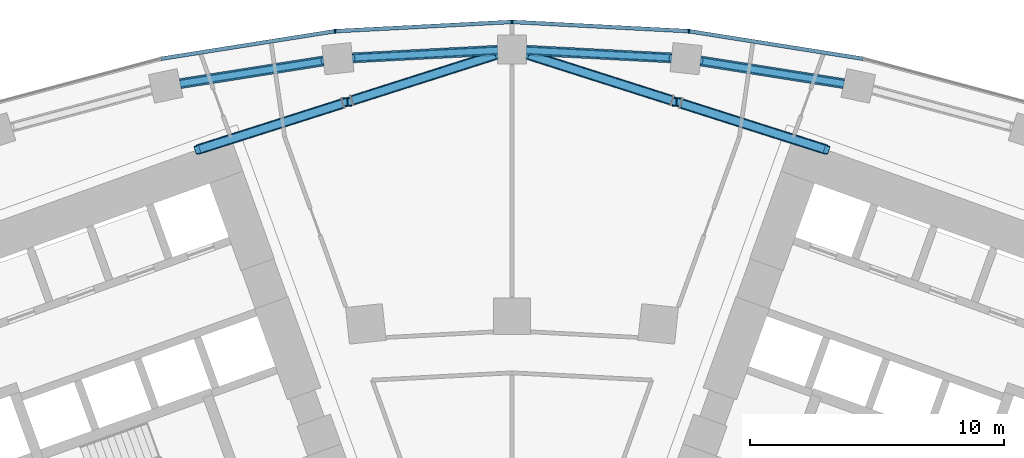
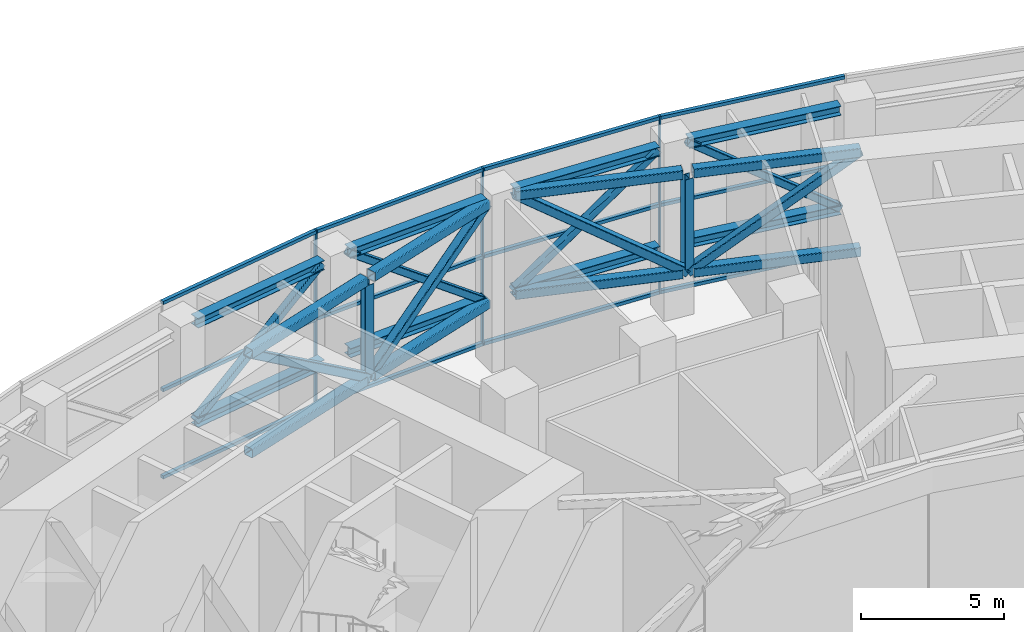
# One storey, part 8 of 30: 41 members, 1 element without a shape of its own.
"""IFC4 building model written with IfcOpenShell, lengths in metres."""

from ifc_helpers import new_model, si_unit, direction, frame, origin, origin_2d, place, context, subcontext, project, spatial, rectangle, hollow_rectangle, i_section, extrude, material, layer, layer_set, material_profile, profile_set, type_object, element, aggregate, save


model = new_model("IFC4")

# Units and contexts
model_context = context("Model", 3, precision=1e-05, world=origin(), true_north=direction((0.0, 1.0)))
body_context = subcontext(model_context, "Body", "Model", "MODEL_VIEW")
ifc_project = project(units=[si_unit("LENGTHUNIT", "METRE"), si_unit("AREAUNIT", "SQUARE_METRE"), si_unit("VOLUMEUNIT", "CUBIC_METRE"), si_unit("PLANEANGLEUNIT", "RADIAN"), si_unit("MASSUNIT", "GRAM", prefix="KILO")], contexts=[model_context])

# Site, building, storey
site_placement = place(None, origin())
site = spatial("IfcSite", under=ifc_project, at=site_placement, CompositionType="ELEMENT")
building_placement = place(site_placement, origin())
building = spatial("IfcBuilding", under=site, at=building_placement, Name="Stone Belt Terrace Tower", CompositionType="ELEMENT")
storey_placement = place(building_placement, frame((0.0, 0.0, 136.39990234375)))
storey = spatial("IfcBuildingStorey", under=building, at=storey_placement, Name="L33", CompositionType="ELEMENT", Elevation=136.39990234375)

# Members
ifc_material_1 = material(Name="Structural steel C345", Category="steel")
ifc_material_profile_1 = material_profile(ifc_material_1, i_section(OverallWidth=0.39990234375, OverallDepth=0.39990234375, WebThickness=0.012939453125, FlangeThickness=0.02099609375, at=origin_2d()), Name="I 40K2")
ifc_profile_set_1 = profile_set([ifc_material_profile_1], Name="Structural steel C345")
member_type_1 = type_object("IfcMemberType", Name="Belt chord I 40K2", PredefinedType="CHORD", material=ifc_profile_set_1)
for number, where, z_axis, x_axis, name in (
    (1, (-13.047119140625, 64.147705078125, 7.050048828125), (0.987683351624, 0.156465960913, 0.0), (-0.156465960913, 0.987683351624, 0.0), "Belt truss T2 ring R top chord 6"),
    (2, (-13.047119140625, 64.147705078125, 2.800048828125), (0.987683351624, 0.156465960913, 0.0), (-0.156465960913, 0.987683351624, 0.0), "Belt truss T2 ring R bot chord 6"),
):
    element("IfcMember", number, at=place(storey_placement, frame(where, z_axis=z_axis, x_axis=x_axis)), inside=storey, type_object=member_type_1, Name=name, PredefinedType="CHORD", context=body_context, shape_type="SweptSolid", body=[
        extrude(i_section(OverallWidth=0.39990234375, OverallDepth=0.39990234375, WebThickness=0.012939453125, FlangeThickness=0.02099609375, at=origin_2d()), origin(), (0.0, 0.0, 1.0), 5.703125),
    ])
for number, where, z_axis, x_axis, name in (
    (3, (-6.2705078125, 65.16015625, 7.050048828125), (0.998628686895, 0.052352131856, 0.0), (-0.052352131856, 0.998628686895, 0.0), "Belt truss T2 ring R top chord 7"),
    (4, (-6.2705078125, 65.16015625, 2.800048828125), (0.998628686895, 0.052352131856, 0.0), (-0.052352131856, 0.998628686895, 0.0), "Belt truss T2 ring R bot chord 7"),
    (5, (0.574951171875, 65.458740234375, 7.050048828125), (0.998628686895, -0.052352131856, 0.0), (0.052352131856, 0.998628686895, 0.0), "Belt truss T2 ring R top chord 8"),
    (6, (0.574951171875, 65.458740234375, 2.800048828125), (0.998628686895, -0.052352131856, 0.0), (0.052352131856, 0.998628686895, 0.0), "Belt truss T2 ring R bot chord 8"),
):
    element("IfcMember", number, at=place(storey_placement, frame(where, z_axis=z_axis, x_axis=x_axis)), inside=storey, type_object=member_type_1, Name=name, PredefinedType="CHORD", context=body_context, shape_type="SweptSolid", body=[
        extrude(i_section(OverallWidth=0.39990234375, OverallDepth=0.39990234375, WebThickness=0.012939453125, FlangeThickness=0.02099609375, at=origin_2d()), origin(), (0.0, 0.0, 1.0), 5.703369140625),
    ])
for number, where, z_axis, x_axis, name in (
    (7, (7.414306640625, 65.0400390625, 7.050048828125), (0.987683351624, -0.156465960913, 0.0), (0.156465960913, 0.987683351624, 0.0), "Belt truss T2 ring R top chord 9"),
    (8, (7.414306640625, 65.0400390625, 2.800048828125), (0.987683351624, -0.156465960913, 0.0), (0.156465960913, 0.987683351624, 0.0), "Belt truss T2 ring R bot chord 9"),
):
    element("IfcMember", number, at=place(storey_placement, frame(where, z_axis=z_axis, x_axis=x_axis)), inside=storey, type_object=member_type_1, Name=name, PredefinedType="CHORD", context=body_context, shape_type="SweptSolid", body=[
        extrude(i_section(OverallWidth=0.39990234375, OverallDepth=0.39990234375, WebThickness=0.012939453125, FlangeThickness=0.02099609375, at=origin_2d()), origin(), (0.0, 0.0, 1.0), 5.703125),
    ])
ifc_material_profile_2 = material_profile(ifc_material_1, hollow_rectangle(XDim=0.300048828125, YDim=0.300048828125, WallThickness=0.01611328125, InnerFilletRadius=0.031982421875, OuterFilletRadius=0.048095703125, at=origin_2d()), Name="SHS 300x300x16")
ifc_profile_set_2 = profile_set([ifc_material_profile_2], Name="Structural steel C345")
member_type_2 = type_object("IfcMemberType", Name="Belt diagonal SHS 300x300x16", PredefinedType="BRACE", material=ifc_profile_set_2)
member_1_placement = place(storey_placement, frame((-13.047119140625, 64.147705078125, 2.800048828125), z_axis=(0.791962080312, 0.12546035903, 0.597541430915), x_axis=(-0.156465960913, 0.987683351624, 0.0)))
element("IfcMember", 9, at=member_1_placement, inside=storey, type_object=member_type_2, Name="Belt truss T2 ring R diagonal 6", PredefinedType="BRACE", context=body_context, shape_type="SweptSolid", body=[
    extrude(hollow_rectangle(XDim=0.300048828125, YDim=0.300048828125, WallThickness=0.01611328125, InnerFilletRadius=0.031982421875, OuterFilletRadius=0.048095703125, at=origin_2d()), origin(), (0.0, 0.0, 1.0), 7.112548828125),
])
for number, where, z_axis, x_axis, name in (
    (10, (-6.2705078125, 65.16015625, 7.050048828125), (0.800754645032, 0.041978778811, -0.597519690545), (-0.052352131856, 0.998628686895, 0.0), "Belt truss T2 ring R diagonal 7"),
    (11, (0.574951171875, 65.458740234375, 2.800048828125), (0.800754645032, -0.041978778811, 0.597519690545), (0.052352131856, 0.998628686895, 0.0), "Belt truss T2 ring R diagonal 8"),
):
    element("IfcMember", number, at=place(storey_placement, frame(where, z_axis=z_axis, x_axis=x_axis)), inside=storey, type_object=member_type_2, Name=name, PredefinedType="BRACE", context=body_context, shape_type="SweptSolid", body=[
        extrude(hollow_rectangle(XDim=0.300048828125, YDim=0.300048828125, WallThickness=0.01611328125, InnerFilletRadius=0.031982421875, OuterFilletRadius=0.048095703125, at=origin_2d()), origin(), (0.0, 0.0, 1.0), 7.11279296875),
    ])
member_2_placement = place(storey_placement, frame((7.414306640625, 65.0400390625, 7.050048828125), z_axis=(0.791962080312, -0.12546035903, -0.597541430915), x_axis=(0.156465960913, 0.987683351624, 0.0)))
element("IfcMember", 12, at=member_2_placement, inside=storey, type_object=member_type_2, Name="Belt truss T2 ring R diagonal 9", PredefinedType="BRACE", context=body_context, shape_type="SweptSolid", body=[
    extrude(hollow_rectangle(XDim=0.300048828125, YDim=0.300048828125, WallThickness=0.01611328125, InnerFilletRadius=0.031982421875, OuterFilletRadius=0.048095703125, at=origin_2d()), origin(), (0.0, 0.0, 1.0), 7.112548828125),
])

# Curtain wall, members
ifc_material_2 = material(Name="Aluminium 6063-T6 anodised frame", Category="aluminium")
ifc_layer = layer(ifc_material_2, 0.14990234375)
ifc_layer_set = layer_set([ifc_layer], Name="CW-A unitised convex-face curtain wall")
curtain_wall_type = type_object("IfcCurtainWallType", Name="CW-A unitised convex-face curtain wall", PredefinedType="NOTDEFINED", material=ifc_layer_set)
curtain_wall_placement = place(storey_placement, origin())
curtain_wall = element("IfcCurtainWall", 13, at=curtain_wall_placement, inside=storey, type_object=curtain_wall_type, Name="CW-A convex face L33", PredefinedType="NOTDEFINED")
ifc_material_profile_3 = material_profile(ifc_material_2, rectangle(XDim=0.14990234375, YDim=0.06005859375, at=origin_2d()), Name="Aluminium 6063-T6 60x150")
ifc_profile_set_3 = profile_set([ifc_material_profile_3], Name="Aluminium 6063-T6 anodised frame")
member_type_3 = type_object("IfcMemberType", Name="CW-A mullion 60 x 150", PredefinedType="MULLION", material=ifc_profile_set_3)
member_3_placement = place(storey_placement, frame((6.958984375, 66.21044921875, 0.0), z_axis=(0.0, 0.0, 1.0), x_axis=(-0.104528463268, -0.994521895368, 0.0)))
member_3 = element("IfcMember", 14, at=member_3_placement, type_object=member_type_3, Name="CW-A mullion 9", PredefinedType="MULLION", context=body_context, shape_type="SweptSolid", body=[
    extrude(rectangle(XDim=0.14990234375, YDim=0.06005859375, at=origin_2d()), origin(), (0.0, 0.0, 1.0), 7.60009765625),
])
member_4_placement = place(storey_placement, frame((0.0, 66.5751953125, 0.0), z_axis=(0.0, 0.0, 1.0), x_axis=(0.0, -1.0, 0.0)))
member_4 = element("IfcMember", 15, at=member_4_placement, type_object=member_type_3, Name="CW-A mullion 10", PredefinedType="MULLION", context=body_context, shape_type="SweptSolid", body=[
    extrude(rectangle(XDim=0.14990234375, YDim=0.06005859375, at=origin_2d()), origin(), (0.0, 0.0, 1.0), 7.60009765625),
])
member_5_placement = place(storey_placement, frame((-6.958984375, 66.21044921875, 0.0), z_axis=(0.0, 0.0, 1.0), x_axis=(0.104528463268, -0.994521895368, 0.0)))
member_5 = element("IfcMember", 16, at=member_5_placement, type_object=member_type_3, Name="CW-A mullion 11", PredefinedType="MULLION", context=body_context, shape_type="SweptSolid", body=[
    extrude(rectangle(XDim=0.14990234375, YDim=0.06005859375, at=origin_2d()), origin(), (0.0, 0.0, 1.0), 7.60009765625),
])
ifc_material_profile_4 = material_profile(ifc_material_2, rectangle(XDim=0.14990234375, YDim=0.139892578125, at=origin_2d()), Name="Aluminium 6063-T6 150x140")
ifc_profile_set_4 = profile_set([ifc_material_profile_4], Name="Aluminium 6063-T6 anodised frame")
member_type_4 = type_object("IfcMemberType", Name="CW-A transom 140 x 150", PredefinedType="USERDEFINED", material=ifc_profile_set_4)
member_6_placement = place(storey_placement, frame((13.808349609375, 65.12548828125, 0.070068359375), z_axis=(-0.987687120531, 0.156442168027, 0.0), x_axis=(-0.156442168027, -0.987687120531, 0.0)))
member_6 = element("IfcMember", 17, at=member_6_placement, type_object=member_type_4, Name="CW-A transom 8.1", ObjectType="TRANSOM", PredefinedType="USERDEFINED", context=body_context, shape_type="SweptSolid", body=[
    extrude(rectangle(XDim=0.14990234375, YDim=0.139892578125, at=origin_2d()), origin(), (0.0, 0.0, 1.0), 6.90087890625),
])
member_7_placement = place(storey_placement, frame((13.808349609375, 65.12548828125, 3.800048828125), z_axis=(-0.987687120531, 0.156442168027, 0.0), x_axis=(-0.156442168027, -0.987687120531, 0.0)))
member_7 = element("IfcMember", 18, at=member_7_placement, type_object=member_type_4, Name="CW-A transom 8.2", ObjectType="TRANSOM", PredefinedType="USERDEFINED", context=body_context, shape_type="SweptSolid", body=[
    extrude(rectangle(XDim=0.14990234375, YDim=0.139892578125, at=origin_2d()), origin(), (0.0, 0.0, 1.0), 6.90087890625),
])
member_8_placement = place(storey_placement, frame((13.808349609375, 65.12548828125, 7.530029296875), z_axis=(-0.987687120531, 0.156442168027, 0.0), x_axis=(-0.156442168027, -0.987687120531, 0.0)))
member_8 = element("IfcMember", 19, at=member_8_placement, type_object=member_type_4, Name="CW-A transom 8.3", ObjectType="TRANSOM", PredefinedType="USERDEFINED", context=body_context, shape_type="SweptSolid", body=[
    extrude(rectangle(XDim=0.14990234375, YDim=0.139892578125, at=origin_2d()), origin(), (0.0, 0.0, 1.0), 6.90087890625),
])
member_9_placement = place(storey_placement, frame((6.925048828125, 66.212158203125, 0.070068359375), z_axis=(-0.998630019135, 0.052326712899, 0.0), x_axis=(-0.052326712899, -0.998630019135, 0.0)))
member_9 = element("IfcMember", 20, at=member_9_placement, type_object=member_type_4, Name="CW-A transom 9.1", ObjectType="TRANSOM", PredefinedType="USERDEFINED", context=body_context, shape_type="SweptSolid", body=[
    extrude(rectangle(XDim=0.14990234375, YDim=0.139892578125, at=origin_2d()), origin(), (0.0, 0.0, 1.0), 6.900634765625),
])
member_10_placement = place(storey_placement, frame((6.925048828125, 66.212158203125, 3.800048828125), z_axis=(-0.998630019135, 0.052326712899, 0.0), x_axis=(-0.052326712899, -0.998630019135, 0.0)))
member_10 = element("IfcMember", 21, at=member_10_placement, type_object=member_type_4, Name="CW-A transom 9.2", ObjectType="TRANSOM", PredefinedType="USERDEFINED", context=body_context, shape_type="SweptSolid", body=[
    extrude(rectangle(XDim=0.14990234375, YDim=0.139892578125, at=origin_2d()), origin(), (0.0, 0.0, 1.0), 6.900634765625),
])
member_11_placement = place(storey_placement, frame((6.925048828125, 66.212158203125, 7.530029296875), z_axis=(-0.998630019135, 0.052326712899, 0.0), x_axis=(-0.052326712899, -0.998630019135, 0.0)))
member_11 = element("IfcMember", 22, at=member_11_placement, type_object=member_type_4, Name="CW-A transom 9.3", ObjectType="TRANSOM", PredefinedType="USERDEFINED", context=body_context, shape_type="SweptSolid", body=[
    extrude(rectangle(XDim=0.14990234375, YDim=0.139892578125, at=origin_2d()), origin(), (0.0, 0.0, 1.0), 6.900634765625),
])
member_12_placement = place(storey_placement, frame((-0.033935546875, 66.5732421875, 0.070068359375), z_axis=(-0.998630019135, -0.052326712899, 0.0), x_axis=(0.052326712899, -0.998630019135, 0.0)))
member_12 = element("IfcMember", 23, at=member_12_placement, type_object=member_type_4, Name="CW-A transom 10.1", ObjectType="TRANSOM", PredefinedType="USERDEFINED", context=body_context, shape_type="SweptSolid", body=[
    extrude(rectangle(XDim=0.14990234375, YDim=0.139892578125, at=origin_2d()), origin(), (0.0, 0.0, 1.0), 6.900634765625),
])
member_13_placement = place(storey_placement, frame((-0.033935546875, 66.5732421875, 3.800048828125), z_axis=(-0.998630019135, -0.052326712899, 0.0), x_axis=(0.052326712899, -0.998630019135, 0.0)))
member_13 = element("IfcMember", 24, at=member_13_placement, type_object=member_type_4, Name="CW-A transom 10.2", ObjectType="TRANSOM", PredefinedType="USERDEFINED", context=body_context, shape_type="SweptSolid", body=[
    extrude(rectangle(XDim=0.14990234375, YDim=0.139892578125, at=origin_2d()), origin(), (0.0, 0.0, 1.0), 6.900634765625),
])
member_14_placement = place(storey_placement, frame((-0.033935546875, 66.5732421875, 7.530029296875), z_axis=(-0.998630019135, -0.052326712899, 0.0), x_axis=(0.052326712899, -0.998630019135, 0.0)))
member_14 = element("IfcMember", 25, at=member_14_placement, type_object=member_type_4, Name="CW-A transom 10.3", ObjectType="TRANSOM", PredefinedType="USERDEFINED", context=body_context, shape_type="SweptSolid", body=[
    extrude(rectangle(XDim=0.14990234375, YDim=0.139892578125, at=origin_2d()), origin(), (0.0, 0.0, 1.0), 6.900634765625),
])
member_15_placement = place(storey_placement, frame((-6.992431640625, 66.205078125, 0.070068359375), z_axis=(-0.987687120531, -0.156442168027, 0.0), x_axis=(0.156442168027, -0.987687120531, 0.0)))
member_15 = element("IfcMember", 26, at=member_15_placement, type_object=member_type_4, Name="CW-A transom 11.1", ObjectType="TRANSOM", PredefinedType="USERDEFINED", context=body_context, shape_type="SweptSolid", body=[
    extrude(rectangle(XDim=0.14990234375, YDim=0.139892578125, at=origin_2d()), origin(), (0.0, 0.0, 1.0), 6.90087890625),
])
member_16_placement = place(storey_placement, frame((-6.992431640625, 66.205078125, 3.800048828125), z_axis=(-0.987687120531, -0.156442168027, 0.0), x_axis=(0.156442168027, -0.987687120531, 0.0)))
member_16 = element("IfcMember", 27, at=member_16_placement, type_object=member_type_4, Name="CW-A transom 11.2", ObjectType="TRANSOM", PredefinedType="USERDEFINED", context=body_context, shape_type="SweptSolid", body=[
    extrude(rectangle(XDim=0.14990234375, YDim=0.139892578125, at=origin_2d()), origin(), (0.0, 0.0, 1.0), 6.90087890625),
])
member_17_placement = place(storey_placement, frame((-6.992431640625, 66.205078125, 7.530029296875), z_axis=(-0.987687120531, -0.156442168027, 0.0), x_axis=(0.156442168027, -0.987687120531, 0.0)))
member_17 = element("IfcMember", 28, at=member_17_placement, type_object=member_type_4, Name="CW-A transom 11.3", ObjectType="TRANSOM", PredefinedType="USERDEFINED", context=body_context, shape_type="SweptSolid", body=[
    extrude(rectangle(XDim=0.14990234375, YDim=0.139892578125, at=origin_2d()), origin(), (0.0, 0.0, 1.0), 6.90087890625),
])
aggregate(curtain_wall, [member_3, member_4, member_5, member_6, member_7, member_8, member_9, member_10, member_11, member_12, member_13, member_14, member_15, member_16, member_17])

# Members
ifc_material_profile_5 = material_profile(ifc_material_1, hollow_rectangle(XDim=0.39990234375, YDim=0.39990234375, WallThickness=0.02001953125, InnerFilletRadius=0.0400390625, OuterFilletRadius=0.06005859375, at=origin_2d()), Name="SHS 400x400x20")
ifc_profile_set_5 = profile_set([ifc_material_profile_5], Name="Structural steel C345")
member_type_5 = type_object("IfcMemberType", Name="Outrigger chord SHS 400x400x20", PredefinedType="CHORD", material=ifc_profile_set_5)
for number, where, z_axis, x_axis, name in (
    (29, (-0.574951171875, 65.3056640625, 7.050048828125), (-0.952801636334, -0.30359354703, 0.0), (0.30359354703, -0.952801636334, 0.0), "Outrigger T2 coreA-mid-R top chord 1"),
    (30, (-0.574951171875, 65.3056640625, 2.800048828125), (-0.952801636334, -0.30359354703, 0.0), (0.30359354703, -0.952801636334, 0.0), "Outrigger T2 coreA-mid-R bot chord 1"),
    (31, (-6.6591796875, 63.366943359375, 7.050048828125), (-0.952801636334, -0.30359354703, 0.0), (0.30359354703, -0.952801636334, 0.0), "Outrigger T2 coreA-mid-R top chord 2"),
    (32, (-6.6591796875, 63.366943359375, 2.800048828125), (-0.952801636334, -0.30359354703, 0.0), (0.30359354703, -0.952801636334, 0.0), "Outrigger T2 coreA-mid-R bot chord 2"),
    (33, (0.574951171875, 65.3056640625, 7.050048828125), (0.952801636334, -0.30359354703, 0.0), (0.30359354703, 0.952801636334, 0.0), "Outrigger T2 coreB-mid-R top chord 1"),
    (34, (0.574951171875, 65.3056640625, 2.800048828125), (0.952801636334, -0.30359354703, 0.0), (0.30359354703, 0.952801636334, 0.0), "Outrigger T2 coreB-mid-R bot chord 1"),
    (35, (6.6591796875, 63.366943359375, 7.050048828125), (0.952801636334, -0.30359354703, 0.0), (0.30359354703, 0.952801636334, 0.0), "Outrigger T2 coreB-mid-R top chord 2"),
    (36, (6.6591796875, 63.366943359375, 2.800048828125), (0.952801636334, -0.30359354703, 0.0), (0.30359354703, 0.952801636334, 0.0), "Outrigger T2 coreB-mid-R bot chord 2"),
):
    element("IfcMember", number, at=place(storey_placement, frame(where, z_axis=z_axis, x_axis=x_axis)), inside=storey, type_object=member_type_5, Name=name, PredefinedType="CHORD", context=body_context, shape_type="SweptSolid", body=[
        extrude(hollow_rectangle(XDim=0.39990234375, YDim=0.39990234375, WallThickness=0.02001953125, InnerFilletRadius=0.0400390625, OuterFilletRadius=0.06005859375, at=origin_2d()), origin(), (0.0, 0.0, 1.0), 5.995849609375),
    ])
ifc_material_profile_6 = material_profile(ifc_material_1, hollow_rectangle(XDim=0.35009765625, YDim=0.35009765625, WallThickness=0.01611328125, InnerFilletRadius=0.031982421875, OuterFilletRadius=0.048095703125, at=origin_2d()), Name="SHS 350x350x16")
ifc_profile_set_6 = profile_set([ifc_material_profile_6], Name="Structural steel C345")
member_type_6 = type_object("IfcMemberType", Name="Outrigger diagonal SHS 350x350x16", PredefinedType="BRACE", material=ifc_profile_set_6)
member_18_placement = place(storey_placement, frame((-0.574951171875, 65.3056640625, 7.050048828125), z_axis=(-0.785501606115, -0.250313611982, -0.565977316194), x_axis=(0.303623596003, -0.952792061234, 0.0)))
element("IfcMember", 37, at=member_18_placement, inside=storey, type_object=member_type_6, Name="Outrigger T2 coreA-mid-R diagonal 1", PredefinedType="BRACE", context=body_context, shape_type="SweptSolid", body=[
    extrude(hollow_rectangle(XDim=0.35009765625, YDim=0.35009765625, WallThickness=0.01611328125, InnerFilletRadius=0.031982421875, OuterFilletRadius=0.048095703125, at=origin_2d()), origin(), (0.0, 0.0, 1.0), 7.509033203125),
])
member_19_placement = place(storey_placement, frame((-6.473388671875, 63.426025390625, 2.800048828125), z_axis=(-0.785520449603, -0.250276744383, 0.565967467683), x_axis=(0.303576386984, -0.952807103912, 0.0)))
element("IfcMember", 38, at=member_19_placement, inside=storey, type_object=member_type_6, Name="Outrigger T2 coreA-mid-R diagonal 2", PredefinedType="BRACE", context=body_context, shape_type="SweptSolid", body=[
    extrude(hollow_rectangle(XDim=0.35009765625, YDim=0.35009765625, WallThickness=0.01611328125, InnerFilletRadius=0.031982421875, OuterFilletRadius=0.048095703125, at=origin_2d()), origin(), (0.0, 0.0, 1.0), 7.50927734375),
])
member_20_placement = place(storey_placement, frame((0.574951171875, 65.3056640625, 7.050048828125), z_axis=(0.785501606115, -0.250313611982, -0.565977316194), x_axis=(0.303623596003, 0.952792061234, 0.0)))
element("IfcMember", 39, at=member_20_placement, inside=storey, type_object=member_type_6, Name="Outrigger T2 coreB-mid-R diagonal 1", PredefinedType="BRACE", context=body_context, shape_type="SweptSolid", body=[
    extrude(hollow_rectangle(XDim=0.35009765625, YDim=0.35009765625, WallThickness=0.01611328125, InnerFilletRadius=0.031982421875, OuterFilletRadius=0.048095703125, at=origin_2d()), origin(), (0.0, 0.0, 1.0), 7.509033203125),
])
member_21_placement = place(storey_placement, frame((6.473388671875, 63.426025390625, 2.800048828125), z_axis=(0.785520449603, -0.250276744383, 0.565967467683), x_axis=(0.303576386984, 0.952807103912, 0.0)))
element("IfcMember", 40, at=member_21_placement, inside=storey, type_object=member_type_6, Name="Outrigger T2 coreB-mid-R diagonal 2", PredefinedType="BRACE", context=body_context, shape_type="SweptSolid", body=[
    extrude(hollow_rectangle(XDim=0.35009765625, YDim=0.35009765625, WallThickness=0.01611328125, InnerFilletRadius=0.031982421875, OuterFilletRadius=0.048095703125, at=origin_2d()), origin(), (0.0, 0.0, 1.0), 7.50927734375),
])
ifc_material_profile_7 = material_profile(ifc_material_1, i_section(OverallWidth=0.35009765625, OverallDepth=0.35009765625, WebThickness=0.011962890625, FlangeThickness=0.01904296875, at=origin_2d()), Name="I 35K2")
ifc_profile_set_7 = profile_set([ifc_material_profile_7], Name="Structural steel C345")
member_type_7 = type_object("IfcMemberType", Name="Outrigger post I 35K2", PredefinedType="POST", material=ifc_profile_set_7)
for number, where, z_axis, x_axis, name in (
    (41, (-6.473388671875, 63.426025390625, 3.0), (0.0, 0.0, 1.0), (1.0, 0.0, 0.0), "Outrigger T2 coreA-mid-R post 1"),
    (42, (6.473388671875, 63.426025390625, 3.0), (0.0, 0.0, 1.0), (1.0, 0.0, 0.0), "Outrigger T2 coreB-mid-R post 1"),
):
    element("IfcMember", number, at=place(storey_placement, frame(where, z_axis=z_axis, x_axis=x_axis)), inside=storey, type_object=member_type_7, Name=name, PredefinedType="POST", context=body_context, shape_type="SweptSolid", body=[
        extrude(i_section(OverallWidth=0.35009765625, OverallDepth=0.35009765625, WebThickness=0.011962890625, FlangeThickness=0.01904296875, at=origin_2d()), origin(), (0.0, 0.0, 1.0), 3.85009765625),
    ])

save(model, "model.ifc")
